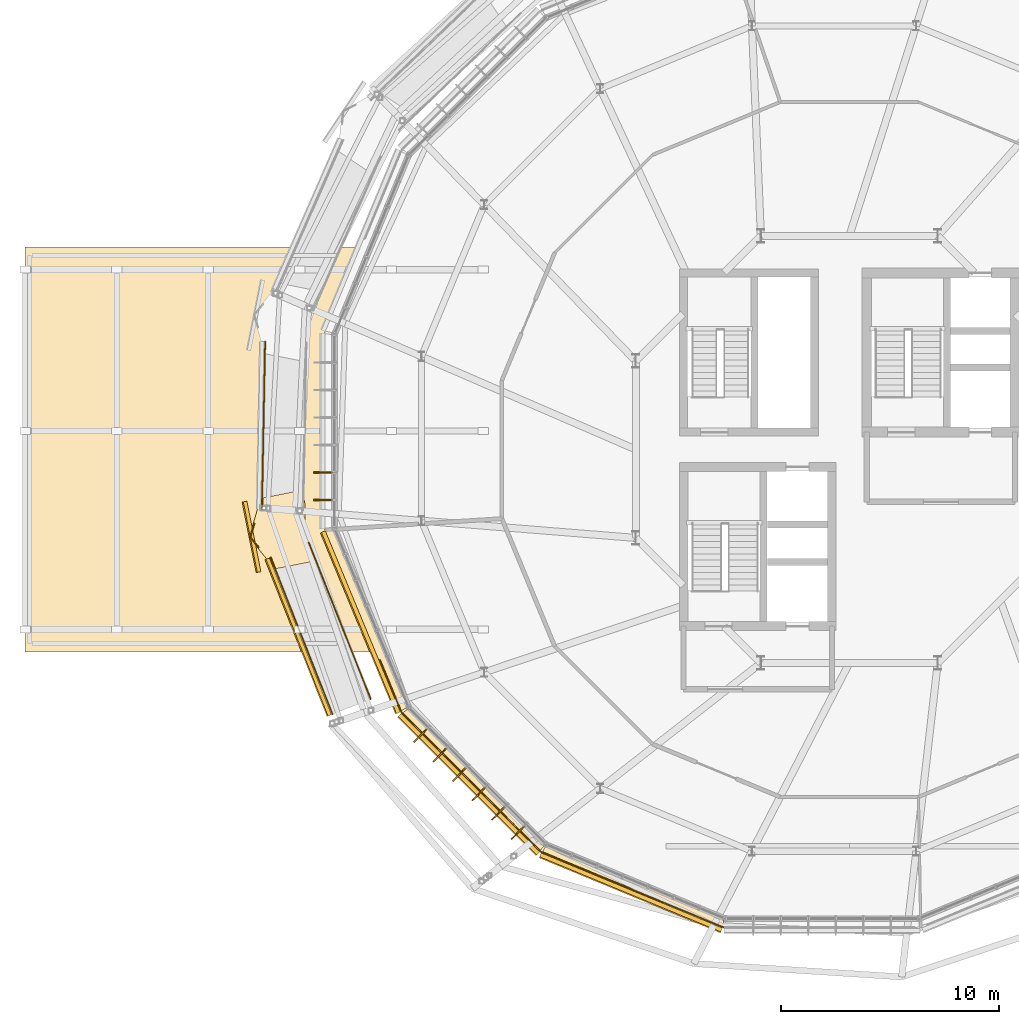
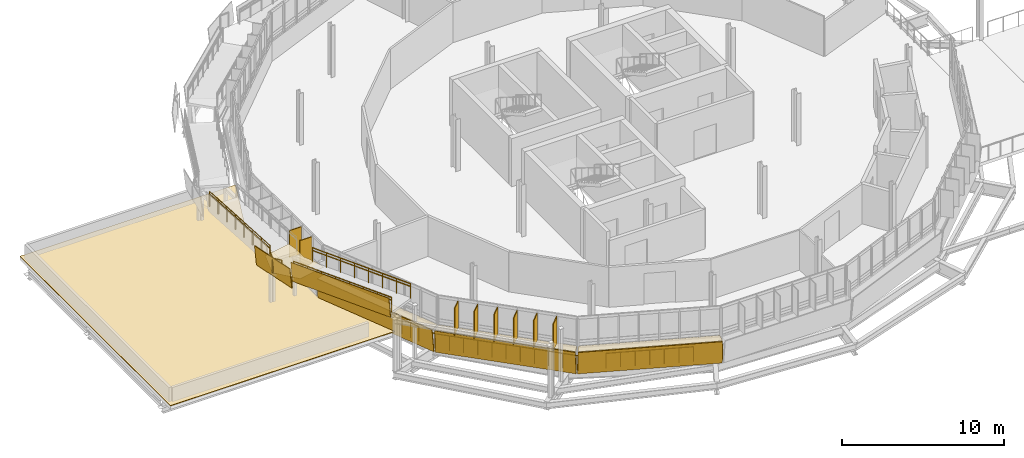
# One storey, part 54 of 61: 20 railings, 10 coverings, 8 shading devices, 1 element without a shape of its own.
"""IFC4 building model written with IfcOpenShell, lengths in metres."""

from ifc_helpers import new_model, si_unit, derived_unit, direction, frame, origin, origin_2d, place, context, subcontext, project, spatial, polyline, rectangle, circle, outline, extrude, material, layer, layer_set, type_object, element, aggregate, save


model = new_model("IFC4")

# Units and contexts
model_context = context("Model", 3, precision=1e-05, world=origin(), true_north=direction((0.0, 1.0)))
body_context = subcontext(model_context, "Body", "Model", "MODEL_VIEW")
ifc_project = project(units=[si_unit("LENGTHUNIT", "METRE"), si_unit("AREAUNIT", "SQUARE_METRE"), si_unit("VOLUMEUNIT", "CUBIC_METRE"), si_unit("PLANEANGLEUNIT", "RADIAN"), si_unit("MASSUNIT", "GRAM", prefix="KILO"), derived_unit("THERMALTRANSMITTANCEUNIT", [(si_unit("MASSUNIT", "GRAM", prefix="KILO"), 1), (si_unit("TIMEUNIT", "SECOND"), -3), (si_unit("THERMODYNAMICTEMPERATUREUNIT", "KELVIN"), -1)])], contexts=[model_context])

# Site, building, storey
site_placement = place(None, origin())
site = spatial("IfcSite", under=ifc_project, at=site_placement, CompositionType="ELEMENT")
building_placement = place(site_placement, origin())
building = spatial("IfcBuilding", under=site, at=building_placement, Name="Makaiwela Harbour Ferry Terminal", CompositionType="ELEMENT")
storey_placement = place(building_placement, frame((0.0, 0.0, 13.800048828125)))
storey = spatial("IfcBuildingStorey", under=building, at=storey_placement, Name="L03", CompositionType="ELEMENT", Elevation=13.800048828125)

# Roof, covering
ifc_material_1 = material(Name="Standing-seam marine zinc roofing", Category="aluminium")
ifc_layer_1 = layer(ifc_material_1, 0.219970703125)
ifc_layer_set_1 = layer_set([ifc_layer_1], Name="Standing-seam marine zinc roofing")
roof_type = type_object("IfcRoofType", Name="RF-FLAT-01", PredefinedType="FLAT_ROOF", material=ifc_layer_set_1)
roof_placement = place(storey_placement, origin())
roof = element("IfcRoof", 1, at=roof_placement, inside=storey, type_object=roof_type, Name="Roof Assembly RF-01", PredefinedType="FLAT_ROOF")
ifc_layer_2 = layer(ifc_material_1, 0.044921875)
ifc_layer_set_2 = layer_set([ifc_layer_2], Name="Standing-seam marine zinc roofing")
covering_type_1 = type_object("IfcCoveringType", Name="COV-ROOF-ZINC", PredefinedType="ROOFING", material=ifc_layer_set_2)
covering_1_placement = place(storey_placement, origin())
covering_1 = element("IfcCovering", 2, at=covering_1_placement, type_object=covering_type_1, Name="Architectural Covering RFG-01", PredefinedType="ROOFING", context=body_context, shape_type="SweptSolid", body=[
    extrude(outline(polyline([(16.0576171875, 58.320068359375), (13.74462890625, 63.904296875), (13.744873046875, 72.9765625), (15.36181640625, 76.8798828125), (0.0, 76.8798828125), (0.0, 58.320068359375), (16.0576171875, 58.320068359375)])), origin(), (0.0, 0.0, 1.0), 0.044921875),
])
aggregate(roof, [covering_1])

# Coverings
ifc_material_2 = material(Name="White glazed marine ceramic rainscreen tile", Category="masonry")
ifc_layer_3 = layer(ifc_material_2, 0.054931640625)
ifc_layer_set_3 = layer_set([ifc_layer_3], Name="White glazed marine ceramic rainscreen tile")
covering_type_2 = type_object("IfcCoveringType", Name="ENV-CLD-CERAMIC", PredefinedType="CLADDING", material=ifc_layer_set_3)
covering_2_placement = place(storey_placement, frame((13.763916015625, 63.867919921875, -0.219970703125), z_axis=(0.918362017885, 0.380391585384, 0.109148732812), x_axis=(0.382677978859, -0.923881791408, -5.63669e-07)))
element("IfcCovering", 3, at=covering_2_placement, inside=storey, type_object=covering_type_2, Name="Ceramic Spandrel Facet CLD-0081", PredefinedType="CLADDING", context=body_context, shape_type="SweptSolid", body=[
    extrude(outline(polyline([(0.0, 0.0), (8.991568669067973, -5.551115123125783e-17), (8.991686916489396, -1.7504535109423305), (-0.00010730965655724389, -1.7504433133509927), (0.0, 0.0)])), origin(), (0.0, 0.0, -1.0), 0.054931640625),
])
covering_3_placement = place(storey_placement, frame((0.0, 0.0, 1.47998046875)))
element("IfcCovering", 4, at=covering_3_placement, inside=storey, type_object=covering_type_2, Name="Ceramic Ring Sill Cap CLD-0082", PredefinedType="CLADDING", context=body_context, shape_type="SweptSolid", body=[
    extrude(outline(polyline([(13.58740234375, 63.794921875), (17.0283203125, 55.487548828125), (17.5810546875, 55.80078125), (14.19970703125, 63.964111328125), (13.58740234375, 63.794921875)])), origin(), (0.0, 0.0, 1.0), 0.054931640625),
])
covering_4_placement = place(storey_placement, frame((17.248046875, 55.49609375, -0.219970703125), z_axis=(0.702877139144, 0.702890633694, 0.109126002098), x_axis=(0.707113488134, -0.707100074175, 1.04129e-06)))
element("IfcCovering", 5, at=covering_4_placement, inside=storey, type_object=covering_type_2, Name="Ceramic Spandrel Facet CLD-0083", PredefinedType="CLADDING", context=body_context, shape_type="SweptSolid", body=[
    extrude(outline(polyline([(0.0, 0.0), (8.99178803789204, -5.551115123125783e-17), (8.991788038710753, -1.75043459803184), (-0.00017263431022376195, -1.7504534368345965), (0.0, 0.0)])), origin(), (0.0, 0.0, -1.0), 0.054931640625),
])
covering_5_placement = place(storey_placement, frame((0.0, 0.0, 1.47998046875)))
element("IfcCovering", 6, at=covering_5_placement, inside=storey, type_object=covering_type_2, Name="Ceramic Ring Sill Cap CLD-0084", PredefinedType="CLADDING", context=body_context, shape_type="SweptSolid", body=[
    extrude(outline(polyline([(17.11279296875, 55.361083984375), (23.47119140625, 49.0029296875), (23.86181640625, 49.503662109375), (17.61376953125, 55.751708984375), (17.11279296875, 55.361083984375)])), origin(), (0.0, 0.0, 1.0), 0.054931640625),
])
covering_6_placement = place(storey_placement, frame((23.670654296875, 49.0947265625, -0.219970703125), z_axis=(0.380405778211, 0.918363703026, 0.109085071701), x_axis=(0.923877096065, -0.38268931441, -1.923362e-06)))
element("IfcCovering", 7, at=covering_6_placement, inside=storey, type_object=covering_type_2, Name="Ceramic Spandrel Facet CLD-0085", PredefinedType="CLADDING", context=body_context, shape_type="SweptSolid", body=[
    extrude(outline(polyline([(0.0, 0.0), (8.991794224873951, -5.551115123125783e-17), (8.991673994819237, -1.7504535042435059), (1.1895868542564317e-05, -1.7504187078919724), (0.0, 0.0)])), origin(), (0.0, 0.0, -1.0), 0.054931640625),
])
covering_7_placement = place(storey_placement, frame((0.0, 0.0, 1.47998046875)))
element("IfcCovering", 8, at=covering_7_placement, inside=storey, type_object=covering_type_2, Name="Ceramic Ring Sill Cap CLD-0086", PredefinedType="CLADDING", context=body_context, shape_type="SweptSolid", body=[
    extrude(outline(polyline([(23.59765625, 48.91845703125), (31.90478515625, 45.477294921875), (32.07421875, 46.089599609375), (23.91064453125, 49.470947265625), (23.59765625, 48.91845703125)])), origin(), (0.0, 0.0, 1.0), 0.054931640625),
])
covering_8_placement = place(storey_placement, frame((10.166748046875, 65.232421875, 2.909912109375), z_axis=(0.974847808952, 0.193903350723, 0.109878296131), x_axis=(0.195084492878, -0.980786439872, 7.88069e-07)))
element("IfcCovering", 9, at=covering_8_placement, inside=storey, type_object=covering_type_2, Name="Coiled Ramp Ceramic Fascia CLD-R0059", PredefinedType="CLADDING", context=body_context, shape_type="SweptSolid", body=[
    extrude(outline(polyline([(0.0, 0.0), (3.300220807507284, 0.0), (3.30015934675731, -1.5292766258336519), (0.00017798906444799624, -1.5292818589350756), (0.0, 0.0)])), origin(), (0.0, 0.0, -1.0), 0.054931640625),
])
covering_9_placement = place(storey_placement, frame((11.202880859375, 62.62060546875, 2.909912109375), z_axis=(0.920799144983, 0.374221168964, 0.109942945644), x_axis=(0.366568296535, -0.926604563909, 0.083855030366)))
element("IfcCovering", 10, at=covering_9_placement, inside=storey, type_object=covering_type_2, Name="Coiled Ramp Ceramic Fascia CLD-R0060", PredefinedType="CLADDING", context=body_context, shape_type="SweptSolid", body=[
    extrude(outline(polyline([(0.0, 0.0), (7.7533496064430585, 0.0), (7.880748241432553, -1.5237178584509277), (0.1273296131959965, -1.5239921866416777), (0.0, 0.0)])), origin(), (0.0, 0.0, -1.0), 0.054931640625),
])

# Shading devices
ifc_material_3 = material(Name="Thermally modified Accoya timber and anodised aluminium", Category="wood")
ifc_layer_4 = layer(ifc_material_3, 0.06005859375)
ifc_layer_set_4 = layer_set([ifc_layer_4], Name="Thermally modified Accoya timber and anodised aluminium")
shading_device_type = type_object("IfcShadingDeviceType", Name="ENV-FIN-850", PredefinedType="USERDEFINED", material=ifc_layer_set_4)
for number, where, z_axis, x_axis, name in (
    (11, (13.650146484375, 66.54638671875, 1.603515625), (0.0, 0.0, 1.0), (-1.0, 0.0, 0.0), "Vertical Solar Fin SFN-0088"),
    (12, (13.650146484375, 65.2841796875, 1.603515625), (0.0, 0.0, 1.0), (-1.0, 0.0, 0.0), "Vertical Solar Fin SFN-0089"),
    (13, (18.1259765625, 54.478759765625, 1.603515625), (0.0, 0.0, 1.0), (-0.707106781187, -0.707106781187, 0.0), "Vertical Solar Fin SFN-0090"),
    (14, (19.0185546875, 53.586181640625, 1.603515625), (0.0, 0.0, 1.0), (-0.707106781187, -0.707106781187, 0.0), "Vertical Solar Fin SFN-0091"),
    (15, (19.9111328125, 52.693603515625, 1.603515625), (0.0, 0.0, 1.0), (-0.707106781187, -0.707106781187, 0.0), "Vertical Solar Fin SFN-0092"),
    (16, (20.8037109375, 51.801025390625, 1.603515625), (0.0, 0.0, 1.0), (-0.707106781187, -0.707106781187, 0.0), "Vertical Solar Fin SFN-0093"),
    (17, (21.6962890625, 50.908447265625, 1.603515625), (0.0, 0.0, 1.0), (-0.707106781187, -0.707106781187, 0.0), "Vertical Solar Fin SFN-0094"),
    (18, (22.5888671875, 50.015869140625, 1.603515625), (0.0, 0.0, 1.0), (-0.707106781187, -0.707106781187, 0.0), "Vertical Solar Fin SFN-0095"),
):
    element("IfcShadingDevice", number, at=place(storey_placement, frame(where, z_axis=z_axis, x_axis=x_axis)), inside=storey, type_object=shading_device_type, Name=name, ObjectType="SOLAR FIN", PredefinedType="USERDEFINED", context=body_context, shape_type="SweptSolid", body=[
        extrude(rectangle(XDim=0.85009765625, YDim=0.06005859375, at=origin_2d()), origin(), (0.0, 0.0, 1.0), 2.02001953125),
    ])

# Covering
ifc_material_4 = material(Name="Honed coral-aggregate epoxy terrazzo flooring", Category="concrete")
ifc_layer_5 = layer(ifc_material_4, 0.02490234375)
ifc_layer_set_5 = layer_set([ifc_layer_5], Name="Honed coral-aggregate epoxy terrazzo flooring")
covering_type_3 = type_object("IfcCoveringType", Name="INT-COV-FLR", PredefinedType="FLOORING", material=ifc_layer_set_5)
covering_10_placement = place(storey_placement, frame((0.0, 0.0, 3.25)))
element("IfcCovering", 19, at=covering_10_placement, inside=storey, type_object=covering_type_3, Name="Ramp Landing Terrazzo RMP-COIL-L03-L5", PredefinedType="FLOORING", context=body_context, shape_type="SweptSolid", body=[
    extrude(outline(polyline([(13.21435546875, 63.171875), (12.837890625, 64.080810546875), (12.837890625, 64.0810546875), (12.837646484375, 64.081298828125), (12.837646484375, 64.081298828125), (12.837646484375, 64.08154296875), (12.837646484375, 65.065185546875), (12.7041015625, 65.737060546875), (10.801513671875, 65.3583984375), (10.27001953125, 63.570556640625), (11.4453125, 62.121826171875), (13.347900390625, 62.50048828125), (13.21435546875, 63.171875)])), origin(), (0.0, 0.0, 1.0), 0.02490234375),
])

# Railings
ifc_material_5 = material(Name="Marine grade 316L brushed stainless steel", Category="steel")
railing_type_1 = type_object("IfcRailingType", Name="INT-RL-GRD110", PredefinedType="GUARDRAIL", material=ifc_material_5)
railing_1_placement = place(storey_placement, frame((11.004150390625, 72.552490234375, 2.599853515625)))
element("IfcRailing", 20, at=railing_1_placement, inside=storey, type_object=railing_type_1, Name="Ramp guardrail RL-0211", PredefinedType="GUARDRAIL", context=body_context, shape_type="SweptSolid", body=[
    extrude(circle(Radius=0.02392578125, at=origin_2d()), frame((0.0, 0.0, 1.09619140625), z_axis=(-0.018824114068, -0.996290673717, 0.083967530592), x_axis=(0.999821552402, -0.018890827192, 0.0)), (0.0, 0.0, 1.0), 7.742919921875),
    extrude(circle(Radius=0.02099609375, at=origin_2d()), origin(), (0.0, 0.0, 1.0), 1.072021484375),
    extrude(circle(Radius=0.02099609375, at=origin_2d()), frame((-0.020751953125, -1.10205078125, 0.0927734375)), (0.0, 0.0, 1.0), 1.072021484375),
    extrude(circle(Radius=0.02099609375, at=origin_2d()), frame((-0.041748046875, -2.2041015625, 0.185791015625)), (0.0, 0.0, 1.0), 1.072021484375),
    extrude(circle(Radius=0.02099609375, at=origin_2d()), frame((-0.0625, -3.30615234375, 0.278564453125)), (0.0, 0.0, 1.0), 1.072021484375),
    extrude(circle(Radius=0.02099609375, at=origin_2d()), frame((-0.083251953125, -4.407958984375, 0.37158203125)), (0.0, 0.0, 1.0), 1.072021484375),
    extrude(circle(Radius=0.02099609375, at=origin_2d()), frame((-0.10400390625, -5.510009765625, 0.46435546875)), (0.0, 0.0, 1.0), 1.072021484375),
    extrude(circle(Radius=0.02099609375, at=origin_2d()), frame((-0.125, -6.612060546875, 0.557373046875)), (0.0, 0.0, 1.0), 1.072021484375),
    extrude(circle(Radius=0.02099609375, at=origin_2d()), frame((-0.145751953125, -7.714111328125, 0.650146484375)), (0.0, 0.0, 1.0), 1.072021484375),
])
railing_2_placement = place(storey_placement, frame((13.00390625, 63.333251953125, 3.25)))
element("IfcRailing", 21, at=railing_2_placement, inside=storey, type_object=railing_type_1, Name="Ramp guardrail RL-0213", PredefinedType="GUARDRAIL", context=body_context, shape_type="SweptSolid", body=[
    extrude(circle(Radius=0.02392578125, at=origin_2d()), frame((0.0, 0.0, 1.09619140625), z_axis=(0.366574070559, -0.926605544443, 0.083818946558), x_axis=(0.929877783974, 0.367868600008, 0.0)), (0.0, 0.0, 1.0), 7.753662109375),
    extrude(circle(Radius=0.02099609375, at=origin_2d()), origin(), (0.0, 0.0, 1.0), 1.072021484375),
    extrude(circle(Radius=0.02099609375, at=origin_2d()), frame((0.406005859375, -1.0263671875, 0.0927734375)), (0.0, 0.0, 1.0), 1.072021484375),
    extrude(circle(Radius=0.02099609375, at=origin_2d()), frame((0.81201171875, -2.052734375, 0.185791015625)), (0.0, 0.0, 1.0), 1.072021484375),
    extrude(circle(Radius=0.02099609375, at=origin_2d()), frame((1.218017578125, -3.0791015625, 0.278564453125)), (0.0, 0.0, 1.0), 1.072021484375),
    extrude(circle(Radius=0.02099609375, at=origin_2d()), frame((1.624267578125, -4.10546875, 0.371337890625)), (0.0, 0.0, 1.0), 1.072021484375),
    extrude(circle(Radius=0.02099609375, at=origin_2d()), frame((2.0302734375, -5.1318359375, 0.464111328125)), (0.0, 0.0, 1.0), 1.072021484375),
    extrude(circle(Radius=0.02099609375, at=origin_2d()), frame((2.436279296875, -6.158203125, 0.55712890625)), (0.0, 0.0, 1.0), 1.072021484375),
    extrude(circle(Radius=0.02099609375, at=origin_2d()), frame((2.84228515625, -7.1845703125, 0.64990234375)), (0.0, 0.0, 1.0), 1.072021484375),
])
railing_3_placement = place(storey_placement, frame((11.255859375, 62.6416015625, 3.25)))
element("IfcRailing", 22, at=railing_3_placement, inside=storey, type_object=railing_type_1, Name="Ramp guardrail RL-0215", PredefinedType="GUARDRAIL", context=body_context, shape_type="SweptSolid", body=[
    extrude(circle(Radius=0.02392578125, at=origin_2d()), frame((0.0, 0.0, 1.09619140625), z_axis=(0.366557509006, -0.926611787433, 0.083822359675), x_axis=(0.929884316924, 0.367852085952, 0.0)), (0.0, 0.0, 1.0), 7.75341796875),
    extrude(circle(Radius=0.02099609375, at=origin_2d()), origin(), (0.0, 0.0, 1.0), 1.072021484375),
    extrude(circle(Radius=0.02099609375, at=origin_2d()), frame((0.406005859375, -1.0263671875, 0.0927734375)), (0.0, 0.0, 1.0), 1.072021484375),
    extrude(circle(Radius=0.02099609375, at=origin_2d()), frame((0.81201171875, -2.052734375, 0.185791015625)), (0.0, 0.0, 1.0), 1.072021484375),
    extrude(circle(Radius=0.02099609375, at=origin_2d()), frame((1.218017578125, -3.0791015625, 0.278564453125)), (0.0, 0.0, 1.0), 1.072021484375),
    extrude(circle(Radius=0.02099609375, at=origin_2d()), frame((1.6240234375, -4.105224609375, 0.371337890625)), (0.0, 0.0, 1.0), 1.072021484375),
    extrude(circle(Radius=0.02099609375, at=origin_2d()), frame((2.030029296875, -5.131591796875, 0.464111328125)), (0.0, 0.0, 1.0), 1.072021484375),
    extrude(circle(Radius=0.02099609375, at=origin_2d()), frame((2.43603515625, -6.157958984375, 0.55712890625)), (0.0, 0.0, 1.0), 1.072021484375),
    extrude(circle(Radius=0.02099609375, at=origin_2d()), frame((2.842041015625, -7.184326171875, 0.64990234375)), (0.0, 0.0, 1.0), 1.072021484375),
])
railing_4_placement = place(storey_placement, frame((32.023193359375, 45.681640625, 0.0)))
element("IfcRailing", 23, at=railing_4_placement, inside=storey, type_object=railing_type_1, Name="Deck edge guardrail RL-0735", PredefinedType="GUARDRAIL", context=body_context, shape_type="SweptSolid", body=[
    extrude(circle(Radius=0.02392578125, at=origin_2d()), frame((0.0, 0.0, 1.09619140625), z_axis=(-0.923908393326, 0.382613748761, 0.0), x_axis=(-0.382613748761, -0.923908393326, 0.0)), (0.0, 0.0, 1.0), 1.810791015625),
    extrude(circle(Radius=0.02099609375, at=origin_2d()), origin(), (0.0, 0.0, 1.0), 1.072021484375),
    extrude(circle(Radius=0.02099609375, at=origin_2d()), frame((-0.83642578125, 0.346435546875, 0.0)), (0.0, 0.0, 1.0), 1.072021484375),
    extrude(circle(Radius=0.02099609375, at=origin_2d()), frame((-1.673095703125, 0.69287109375, 0.0)), (0.0, 0.0, 1.0), 1.072021484375),
])
railing_5_placement = place(storey_placement, frame((30.35009765625, 46.37451171875, 0.0)))
element("IfcRailing", 24, at=railing_5_placement, inside=storey, type_object=railing_type_1, Name="Deck edge guardrail RL-0736", PredefinedType="GUARDRAIL", context=body_context, shape_type="SweptSolid", body=[
    extrude(circle(Radius=0.02392578125, at=origin_2d()), frame((0.0, 0.0, 1.09619140625), z_axis=(-0.923840979408, 0.382776494533, 0.0), x_axis=(-0.382776494533, -0.923840979408, 0.0)), (0.0, 0.0, 1.0), 1.810791015625),
    extrude(circle(Radius=0.02099609375, at=origin_2d()), origin(), (0.0, 0.0, 1.0), 1.072021484375),
    extrude(circle(Radius=0.02099609375, at=origin_2d()), frame((-0.83642578125, 0.3466796875, 0.0)), (0.0, 0.0, 1.0), 1.072021484375),
    extrude(circle(Radius=0.02099609375, at=origin_2d()), frame((-1.6728515625, 0.693115234375, 0.0)), (0.0, 0.0, 1.0), 1.072021484375),
])
railing_6_placement = place(storey_placement, frame((28.67724609375, 47.067626953125, 0.0)))
element("IfcRailing", 25, at=railing_6_placement, inside=storey, type_object=railing_type_1, Name="Deck edge guardrail RL-0737", PredefinedType="GUARDRAIL", context=body_context, shape_type="SweptSolid", body=[
    extrude(circle(Radius=0.02392578125, at=origin_2d()), frame((0.0, 0.0, 1.09619140625), z_axis=(-0.923888653175, 0.382661412392, 0.0), x_axis=(-0.382661412392, -0.923888653175, 0.0)), (0.0, 0.0, 1.0), 1.810546875),
    extrude(circle(Radius=0.02099609375, at=origin_2d()), origin(), (0.0, 0.0, 1.0), 1.072021484375),
    extrude(circle(Radius=0.02099609375, at=origin_2d()), frame((-0.83642578125, 0.346435546875, 0.0)), (0.0, 0.0, 1.0), 1.072021484375),
    extrude(circle(Radius=0.02099609375, at=origin_2d()), frame((-1.6728515625, 0.69287109375, 0.0)), (0.0, 0.0, 1.0), 1.072021484375),
])
railing_7_placement = place(storey_placement, frame((27.00439453125, 47.760498046875, 0.0)))
element("IfcRailing", 26, at=railing_7_placement, inside=storey, type_object=railing_type_1, Name="Deck edge guardrail RL-0738", PredefinedType="GUARDRAIL", context=body_context, shape_type="SweptSolid", body=[
    extrude(circle(Radius=0.02392578125, at=origin_2d()), frame((0.0, 0.0, 1.09619140625), z_axis=(-0.923860730415, 0.382728821487, 0.0), x_axis=(-0.382728821487, -0.923860730415, 0.0)), (0.0, 0.0, 1.0), 1.81103515625),
    extrude(circle(Radius=0.02099609375, at=origin_2d()), origin(), (0.0, 0.0, 1.0), 1.072021484375),
    extrude(circle(Radius=0.02099609375, at=origin_2d()), frame((-0.83642578125, 0.3466796875, 0.0)), (0.0, 0.0, 1.0), 1.072021484375),
    extrude(circle(Radius=0.02099609375, at=origin_2d()), frame((-1.673095703125, 0.693115234375, 0.0)), (0.0, 0.0, 1.0), 1.072021484375),
])
railing_8_placement = place(storey_placement, frame((25.331298828125, 48.45361328125, 0.0)))
element("IfcRailing", 27, at=railing_8_placement, inside=storey, type_object=railing_type_1, Name="Deck edge guardrail RL-0739", PredefinedType="GUARDRAIL", context=body_context, shape_type="SweptSolid", body=[
    extrude(circle(Radius=0.02392578125, at=origin_2d()), frame((0.0, 0.0, 1.09619140625), z_axis=(-0.923888653175, 0.382661412392, 0.0), x_axis=(-0.382661412392, -0.923888653175, 0.0)), (0.0, 0.0, 1.0), 1.810546875),
    extrude(circle(Radius=0.02099609375, at=origin_2d()), origin(), (0.0, 0.0, 1.0), 1.072021484375),
    extrude(circle(Radius=0.02099609375, at=origin_2d()), frame((-0.83642578125, 0.346435546875, 0.0)), (0.0, 0.0, 1.0), 1.072021484375),
    extrude(circle(Radius=0.02099609375, at=origin_2d()), frame((-1.6728515625, 0.69287109375, 0.0)), (0.0, 0.0, 1.0), 1.072021484375),
])
railing_9_placement = place(storey_placement, frame((23.658447265625, 49.146484375, 0.0)))
element("IfcRailing", 28, at=railing_9_placement, inside=storey, type_object=railing_type_1, Name="Deck edge guardrail RL-0740", PredefinedType="GUARDRAIL", context=body_context, shape_type="SweptSolid", body=[
    extrude(circle(Radius=0.02392578125, at=origin_2d()), frame((0.0, 0.0, 1.09619140625), z_axis=(-0.707039363846, 0.7071741921, 0.0), x_axis=(-0.7071741921, -0.707039363846, 0.0)), (0.0, 0.0, 1.0), 1.810791015625),
    extrude(circle(Radius=0.02099609375, at=origin_2d()), origin(), (0.0, 0.0, 1.0), 1.072021484375),
    extrude(circle(Radius=0.02099609375, at=origin_2d()), frame((-0.64013671875, 0.64013671875, 0.0)), (0.0, 0.0, 1.0), 1.072021484375),
    extrude(circle(Radius=0.02099609375, at=origin_2d()), frame((-1.2802734375, 1.280517578125, 0.0)), (0.0, 0.0, 1.0), 1.072021484375),
])
railing_10_placement = place(storey_placement, frame((22.378173828125, 50.427001953125, 0.0)))
element("IfcRailing", 29, at=railing_10_placement, inside=storey, type_object=railing_type_1, Name="Deck edge guardrail RL-0741", PredefinedType="GUARDRAIL", context=body_context, shape_type="SweptSolid", body=[
    extrude(circle(Radius=0.02392578125, at=origin_2d()), frame((0.0, 0.0, 1.09619140625), z_axis=(-0.7071741921, 0.707039363846, 0.0), x_axis=(-0.707039363846, -0.7071741921, 0.0)), (0.0, 0.0, 1.0), 1.810791015625),
    extrude(circle(Radius=0.02099609375, at=origin_2d()), origin(), (0.0, 0.0, 1.0), 1.072021484375),
    extrude(circle(Radius=0.02099609375, at=origin_2d()), frame((-0.64013671875, 0.64013671875, 0.0)), (0.0, 0.0, 1.0), 1.072021484375),
    extrude(circle(Radius=0.02099609375, at=origin_2d()), frame((-1.280517578125, 1.2802734375, 0.0)), (0.0, 0.0, 1.0), 1.072021484375),
])
railing_11_placement = place(storey_placement, frame((21.09765625, 51.707275390625, 0.0)))
element("IfcRailing", 30, at=railing_11_placement, inside=storey, type_object=railing_type_1, Name="Deck edge guardrail RL-0742", PredefinedType="GUARDRAIL", context=body_context, shape_type="SweptSolid", body=[
    extrude(circle(Radius=0.02392578125, at=origin_2d()), frame((0.0, 0.0, 1.09619140625), z_axis=(-0.707039363846, 0.7071741921, 0.0), x_axis=(-0.7071741921, -0.707039363846, 0.0)), (0.0, 0.0, 1.0), 1.810791015625),
    extrude(circle(Radius=0.02099609375, at=origin_2d()), origin(), (0.0, 0.0, 1.0), 1.072021484375),
    extrude(circle(Radius=0.02099609375, at=origin_2d()), frame((-0.64013671875, 0.64013671875, 0.0)), (0.0, 0.0, 1.0), 1.072021484375),
    extrude(circle(Radius=0.02099609375, at=origin_2d()), frame((-1.2802734375, 1.280517578125, 0.0)), (0.0, 0.0, 1.0), 1.072021484375),
])
railing_12_placement = place(storey_placement, frame((19.8173828125, 52.98779296875, 0.0)))
element("IfcRailing", 31, at=railing_12_placement, inside=storey, type_object=railing_type_1, Name="Deck edge guardrail RL-0743", PredefinedType="GUARDRAIL", context=body_context, shape_type="SweptSolid", body=[
    extrude(circle(Radius=0.02392578125, at=origin_2d()), frame((0.0, 0.0, 1.09619140625), z_axis=(-0.7071741921, 0.707039363846, 0.0), x_axis=(-0.707039363846, -0.7071741921, 0.0)), (0.0, 0.0, 1.0), 1.810791015625),
    extrude(circle(Radius=0.02099609375, at=origin_2d()), origin(), (0.0, 0.0, 1.0), 1.072021484375),
    extrude(circle(Radius=0.02099609375, at=origin_2d()), frame((-0.64013671875, 0.64013671875, 0.0)), (0.0, 0.0, 1.0), 1.072021484375),
    extrude(circle(Radius=0.02099609375, at=origin_2d()), frame((-1.280517578125, 1.2802734375, 0.0)), (0.0, 0.0, 1.0), 1.072021484375),
])
railing_13_placement = place(storey_placement, frame((18.536865234375, 54.26806640625, 0.0)))
element("IfcRailing", 32, at=railing_13_placement, inside=storey, type_object=railing_type_1, Name="Deck edge guardrail RL-0744", PredefinedType="GUARDRAIL", context=body_context, shape_type="SweptSolid", body=[
    extrude(circle(Radius=0.02392578125, at=origin_2d()), frame((0.0, 0.0, 1.09619140625), z_axis=(-0.707106781187, 0.707106781187, 0.0), x_axis=(-0.707106781187, -0.707106781187, 0.0)), (0.0, 0.0, 1.0), 1.81103515625),
    extrude(circle(Radius=0.02099609375, at=origin_2d()), origin(), (0.0, 0.0, 1.0), 1.072021484375),
    extrude(circle(Radius=0.02099609375, at=origin_2d()), frame((-0.64013671875, 0.64013671875, 0.0)), (0.0, 0.0, 1.0), 1.072021484375),
    extrude(circle(Radius=0.02099609375, at=origin_2d()), frame((-1.280517578125, 1.280517578125, 0.0)), (0.0, 0.0, 1.0), 1.072021484375),
])
railing_14_placement = place(storey_placement, frame((17.25634765625, 55.548583984375, 0.0)))
element("IfcRailing", 33, at=railing_14_placement, inside=storey, type_object=railing_type_1, Name="Deck edge guardrail RL-0745", PredefinedType="GUARDRAIL", context=body_context, shape_type="SweptSolid", body=[
    extrude(circle(Radius=0.02392578125, at=origin_2d()), frame((0.0, 0.0, 1.09619140625), z_axis=(-0.382592155861, 0.923917335195, 0.0), x_axis=(-0.923917335195, -0.382592155861, 0.0)), (0.0, 0.0, 1.0), 1.285888671875),
    extrude(circle(Radius=0.02099609375, at=origin_2d()), origin(), (0.0, 0.0, 1.0), 1.072021484375),
    extrude(circle(Radius=0.02099609375, at=origin_2d()), frame((-0.24609375, 0.593994140625, 0.0)), (0.0, 0.0, 1.0), 1.072021484375),
    extrude(circle(Radius=0.02099609375, at=origin_2d()), frame((-0.491943359375, 1.18798828125, 0.0)), (0.0, 0.0, 1.0), 1.072021484375),
])
railing_15_placement = place(storey_placement, frame((16.764404296875, 56.736572265625, 0.0)))
element("IfcRailing", 34, at=railing_15_placement, inside=storey, type_object=railing_type_1, Name="Deck edge guardrail RL-0746", PredefinedType="GUARDRAIL", context=body_context, shape_type="SweptSolid", body=[
    extrude(circle(Radius=0.02392578125, at=origin_2d()), frame((0.0, 0.0, 1.09619140625), z_axis=(-0.382754217383, 0.92385020922, 0.0), x_axis=(-0.92385020922, -0.382754217383, 0.0)), (0.0, 0.0, 1.0), 1.285888671875),
    extrude(circle(Radius=0.02099609375, at=origin_2d()), origin(), (0.0, 0.0, 1.0), 1.072021484375),
    extrude(circle(Radius=0.02099609375, at=origin_2d()), frame((-0.24609375, 0.593994140625, 0.0)), (0.0, 0.0, 1.0), 1.072021484375),
    extrude(circle(Radius=0.02099609375, at=origin_2d()), frame((-0.4921875, 1.18798828125, 0.0)), (0.0, 0.0, 1.0), 1.072021484375),
])
railing_16_placement = place(storey_placement, frame((10.31982421875, 63.580322265625, 3.25)))
element("IfcRailing", 35, at=railing_16_placement, inside=storey, type_object=railing_type_1, Name="Deck edge guardrail RL-0755", PredefinedType="GUARDRAIL", context=body_context, shape_type="SweptSolid", body=[
    extrude(circle(Radius=0.02392578125, at=origin_2d()), frame((0.0, 0.0, 1.09619140625), z_axis=(0.284800303655, 0.958586869844, 0.0), x_axis=(-0.958586869844, 0.284800303655, 0.0)), (0.0, 0.0, 1.0), 0.64208984375),
    extrude(circle(Radius=0.02099609375, at=origin_2d()), origin(), (0.0, 0.0, 1.0), 1.072021484375),
    extrude(circle(Radius=0.02099609375, at=origin_2d()), frame((0.182861328125, 0.615478515625, 0.0)), (0.0, 0.0, 1.0), 1.072021484375),
])
railing_17_placement = place(storey_placement, frame((10.6962890625, 63.116455078125, 3.25)))
element("IfcRailing", 36, at=railing_17_placement, inside=storey, type_object=railing_type_1, Name="Deck edge guardrail RL-0756", PredefinedType="GUARDRAIL", context=body_context, shape_type="SweptSolid", body=[
    extrude(circle(Radius=0.02392578125, at=origin_2d()), frame((0.0, 0.0, 1.09619140625), z_axis=(-0.630161746753, 0.776463890293, 0.0), x_axis=(-0.776463890293, -0.630161746753, 0.0)), (0.0, 0.0, 1.0), 0.597412109375),
    extrude(circle(Radius=0.02099609375, at=origin_2d()), origin(), (0.0, 0.0, 1.0), 1.072021484375),
    extrude(circle(Radius=0.02099609375, at=origin_2d()), frame((-0.37646484375, 0.4638671875, 0.0)), (0.0, 0.0, 1.0), 1.072021484375),
])
railing_type_2 = type_object("IfcRailingType", Name="INT-RL-HND090", PredefinedType="HANDRAIL", material=ifc_material_5)
railing_18_placement = place(storey_placement, frame((11.004150390625, 72.552490234375, 2.599853515625)))
element("IfcRailing", 37, at=railing_18_placement, inside=storey, type_object=railing_type_2, Name="Ramp handrail RL-0212", PredefinedType="HANDRAIL", context=body_context, shape_type="SweptSolid", body=[
    extrude(circle(Radius=0.02392578125, at=origin_2d()), frame((0.0, 0.0, 0.89111328125), z_axis=(-0.018824114068, -0.996290673717, 0.083967530592), x_axis=(0.999821552402, -0.018890827192, 0.0)), (0.0, 0.0, 1.0), 7.742919921875),
    extrude(circle(Radius=0.02099609375, at=origin_2d()), origin(), (0.0, 0.0, 1.0), 0.866943359375),
    extrude(circle(Radius=0.02099609375, at=origin_2d()), frame((-0.020751953125, -1.10205078125, 0.0927734375)), (0.0, 0.0, 1.0), 0.866943359375),
    extrude(circle(Radius=0.02099609375, at=origin_2d()), frame((-0.041748046875, -2.2041015625, 0.185791015625)), (0.0, 0.0, 1.0), 0.866943359375),
    extrude(circle(Radius=0.02099609375, at=origin_2d()), frame((-0.0625, -3.30615234375, 0.278564453125)), (0.0, 0.0, 1.0), 0.866943359375),
    extrude(circle(Radius=0.02099609375, at=origin_2d()), frame((-0.083251953125, -4.407958984375, 0.37158203125)), (0.0, 0.0, 1.0), 0.866943359375),
    extrude(circle(Radius=0.02099609375, at=origin_2d()), frame((-0.10400390625, -5.510009765625, 0.46435546875)), (0.0, 0.0, 1.0), 0.866943359375),
    extrude(circle(Radius=0.02099609375, at=origin_2d()), frame((-0.125, -6.612060546875, 0.557373046875)), (0.0, 0.0, 1.0), 0.866943359375),
    extrude(circle(Radius=0.02099609375, at=origin_2d()), frame((-0.145751953125, -7.714111328125, 0.650146484375)), (0.0, 0.0, 1.0), 0.866943359375),
])
railing_19_placement = place(storey_placement, frame((13.00390625, 63.333251953125, 3.25)))
element("IfcRailing", 38, at=railing_19_placement, inside=storey, type_object=railing_type_2, Name="Ramp handrail RL-0214", PredefinedType="HANDRAIL", context=body_context, shape_type="SweptSolid", body=[
    extrude(circle(Radius=0.02392578125, at=origin_2d()), frame((0.0, 0.0, 0.89111328125), z_axis=(0.366574070559, -0.926605544443, 0.083818946558), x_axis=(0.929877783974, 0.367868600008, 0.0)), (0.0, 0.0, 1.0), 7.753662109375),
    extrude(circle(Radius=0.02099609375, at=origin_2d()), origin(), (0.0, 0.0, 1.0), 0.866943359375),
    extrude(circle(Radius=0.02099609375, at=origin_2d()), frame((0.406005859375, -1.0263671875, 0.0927734375)), (0.0, 0.0, 1.0), 0.866943359375),
    extrude(circle(Radius=0.02099609375, at=origin_2d()), frame((0.81201171875, -2.052734375, 0.185791015625)), (0.0, 0.0, 1.0), 0.866943359375),
    extrude(circle(Radius=0.02099609375, at=origin_2d()), frame((1.218017578125, -3.0791015625, 0.278564453125)), (0.0, 0.0, 1.0), 0.866943359375),
    extrude(circle(Radius=0.02099609375, at=origin_2d()), frame((1.624267578125, -4.10546875, 0.371337890625)), (0.0, 0.0, 1.0), 0.866943359375),
    extrude(circle(Radius=0.02099609375, at=origin_2d()), frame((2.0302734375, -5.1318359375, 0.464111328125)), (0.0, 0.0, 1.0), 0.866943359375),
    extrude(circle(Radius=0.02099609375, at=origin_2d()), frame((2.436279296875, -6.158203125, 0.55712890625)), (0.0, 0.0, 1.0), 0.866943359375),
    extrude(circle(Radius=0.02099609375, at=origin_2d()), frame((2.84228515625, -7.1845703125, 0.64990234375)), (0.0, 0.0, 1.0), 0.866943359375),
])
railing_20_placement = place(storey_placement, frame((11.255859375, 62.6416015625, 3.25)))
element("IfcRailing", 39, at=railing_20_placement, inside=storey, type_object=railing_type_2, Name="Ramp handrail RL-0216", PredefinedType="HANDRAIL", context=body_context, shape_type="SweptSolid", body=[
    extrude(circle(Radius=0.02392578125, at=origin_2d()), frame((0.0, 0.0, 0.89111328125), z_axis=(0.366557509006, -0.926611787433, 0.083822359675), x_axis=(0.929884316924, 0.367852085952, 0.0)), (0.0, 0.0, 1.0), 7.75341796875),
    extrude(circle(Radius=0.02099609375, at=origin_2d()), origin(), (0.0, 0.0, 1.0), 0.866943359375),
    extrude(circle(Radius=0.02099609375, at=origin_2d()), frame((0.406005859375, -1.0263671875, 0.0927734375)), (0.0, 0.0, 1.0), 0.866943359375),
    extrude(circle(Radius=0.02099609375, at=origin_2d()), frame((0.81201171875, -2.052734375, 0.185791015625)), (0.0, 0.0, 1.0), 0.866943359375),
    extrude(circle(Radius=0.02099609375, at=origin_2d()), frame((1.218017578125, -3.0791015625, 0.278564453125)), (0.0, 0.0, 1.0), 0.866943359375),
    extrude(circle(Radius=0.02099609375, at=origin_2d()), frame((1.6240234375, -4.105224609375, 0.371337890625)), (0.0, 0.0, 1.0), 0.866943359375),
    extrude(circle(Radius=0.02099609375, at=origin_2d()), frame((2.030029296875, -5.131591796875, 0.464111328125)), (0.0, 0.0, 1.0), 0.866943359375),
    extrude(circle(Radius=0.02099609375, at=origin_2d()), frame((2.43603515625, -6.157958984375, 0.55712890625)), (0.0, 0.0, 1.0), 0.866943359375),
    extrude(circle(Radius=0.02099609375, at=origin_2d()), frame((2.842041015625, -7.184326171875, 0.64990234375)), (0.0, 0.0, 1.0), 0.866943359375),
])

save(model, "model.ifc")
